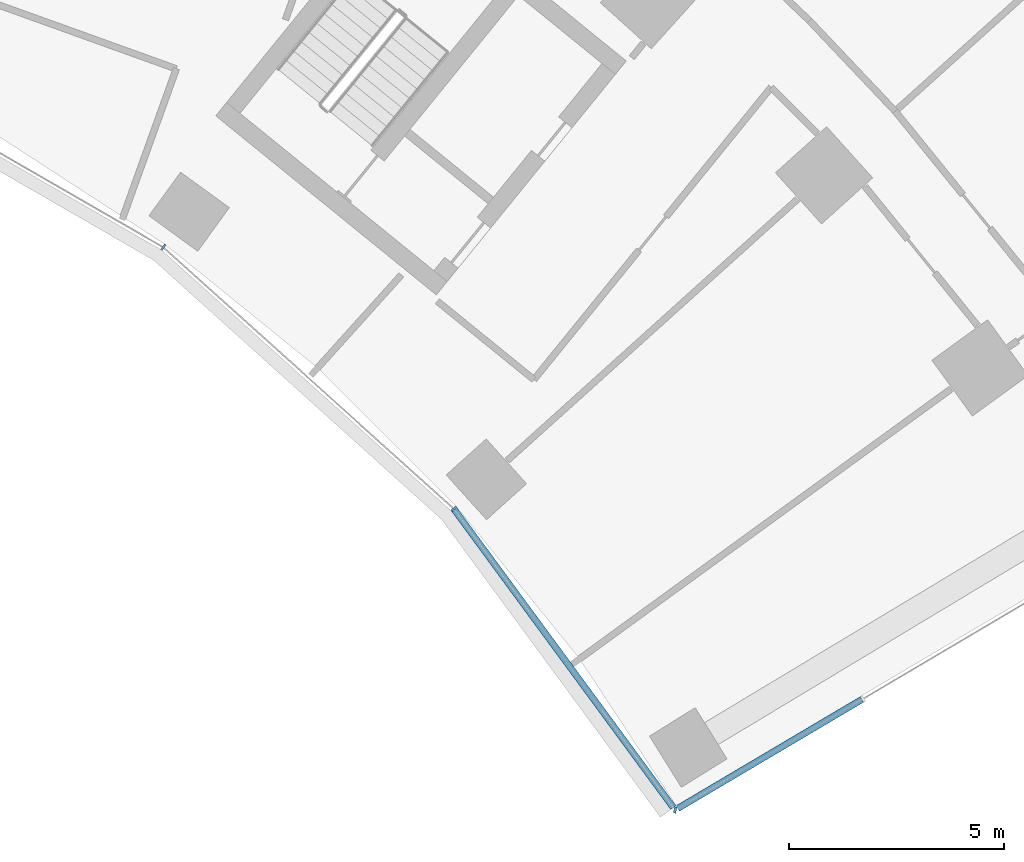
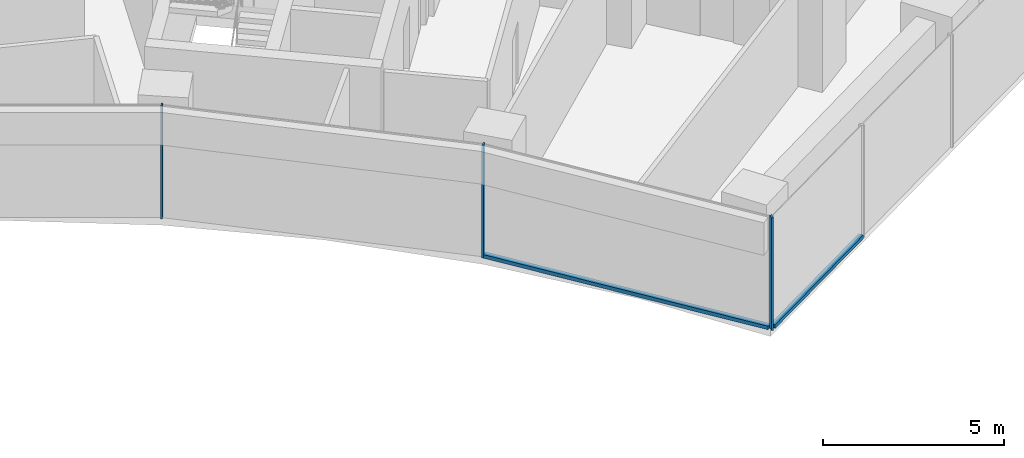
# One storey, part 8 of 21: 5 members, 2 elements without a shape of their own.
"""IFC4 building model written with IfcOpenShell, lengths in metres."""

from ifc_helpers import new_model, si_unit, direction, frame, origin, origin_2d, place, context, subcontext, project, spatial, rectangle, extrude, material, layer, layer_set, material_profile, profile_set, type_object, element, aggregate, save


model = new_model("IFC4")

# Units and contexts
model_context = context("Model", 3, precision=1e-05, world=origin(), true_north=direction((0.0, 1.0)))
body_context = subcontext(model_context, "Body", "Model", "MODEL_VIEW")
ifc_project = project(units=[si_unit("LENGTHUNIT", "METRE"), si_unit("AREAUNIT", "SQUARE_METRE"), si_unit("VOLUMEUNIT", "CUBIC_METRE"), si_unit("PLANEANGLEUNIT", "RADIAN"), si_unit("MASSUNIT", "GRAM", prefix="KILO")], contexts=[model_context])

# Site, building, storey
site_placement = place(None, origin())
site = spatial("IfcSite", under=ifc_project, at=site_placement, CompositionType="ELEMENT")
building_placement = place(site_placement, origin())
building = spatial("IfcBuilding", under=site, at=building_placement, Name="Stone Belt Terrace Tower", CompositionType="ELEMENT")
storey_placement = place(building_placement, frame((0.0, 0.0, 33.800048828125)))
storey = spatial("IfcBuildingStorey", under=building, at=storey_placement, Name="L07", CompositionType="ELEMENT", Elevation=33.800048828125)

# Curtain wall, members
ifc_material = material(Name="Aluminium 6063-T6 anodised frame", Category="aluminium")
ifc_layer_1 = layer(ifc_material, 0.14990234375)
ifc_layer_set_1 = layer_set([ifc_layer_1], Name="CW-B unitised concave-face curtain wall")
curtain_wall_type_1 = type_object("IfcCurtainWallType", Name="CW-B unitised concave-face curtain wall", PredefinedType="NOTDEFINED", material=ifc_layer_set_1)
curtain_wall_1_placement = place(storey_placement, origin())
curtain_wall_1 = element("IfcCurtainWall", 1, at=curtain_wall_1_placement, inside=storey, type_object=curtain_wall_type_1, Name="CW-B concave face L07", PredefinedType="NOTDEFINED")
ifc_material_profile_1 = material_profile(ifc_material, rectangle(XDim=0.14990234375, YDim=0.050048828125, at=origin_2d()), Name="Aluminium 6063-T6 50x150")
ifc_profile_set_1 = profile_set([ifc_material_profile_1], Name="Aluminium 6063-T6 anodised frame")
member_type_1 = type_object("IfcMemberType", Name="CW-B mullion 50 x 150", PredefinedType="MULLION", material=ifc_profile_set_1)
member_1_placement = place(storey_placement, frame((25.5244140625, 35.13134765625, 0.0), z_axis=(0.0, 0.0, 1.0), x_axis=(0.587785252292, 0.809016994375, 0.0)))
member_1 = element("IfcMember", 2, at=member_1_placement, type_object=member_type_1, Name="CW-B mullion 9", PredefinedType="MULLION", context=body_context, shape_type="SweptSolid", body=[
    extrude(rectangle(XDim=0.14990234375, YDim=0.050048828125, at=origin_2d()), origin(), (0.0, 0.0, 1.0), 3.800048828125),
])
member_2_placement = place(storey_placement, frame((32.27099609375, 29.056640625, 0.0), z_axis=(0.0, 0.0, 1.0), x_axis=(0.741329775891, 0.671140941515, 0.0)))
member_2 = element("IfcMember", 3, at=member_2_placement, type_object=member_type_1, Name="CW-B mullion 10", PredefinedType="MULLION", context=body_context, shape_type="SweptSolid", body=[
    extrude(rectangle(XDim=0.14990234375, YDim=0.050048828125, at=origin_2d()), origin(), (0.0, 0.0, 1.0), 3.800048828125),
])
ifc_material_profile_2 = material_profile(ifc_material, rectangle(XDim=0.14990234375, YDim=0.1201171875, at=origin_2d()), Name="Aluminium 6063-T6 150x120")
ifc_profile_set_2 = profile_set([ifc_material_profile_2], Name="Aluminium 6063-T6 anodised frame")
member_type_2 = type_object("IfcMemberType", Name="CW-B transom 120 x 150", PredefinedType="USERDEFINED", material=ifc_profile_set_2)
member_3_placement = place(storey_placement, frame((32.2900390625, 29.0302734375, 0.06005859375), z_axis=(0.592180847905, -0.805805090189, 0.0), x_axis=(0.805805090189, 0.592180847905, 0.0)))
member_3 = element("IfcMember", 4, at=member_3_placement, type_object=member_type_2, Name="CW-B transom 10.1", ObjectType="TRANSOM", PredefinedType="USERDEFINED", context=body_context, shape_type="SweptSolid", body=[
    extrude(rectangle(XDim=0.14990234375, YDim=0.1201171875, at=origin_2d()), origin(), (0.0, 0.0, 1.0), 8.583984375),
])
aggregate(curtain_wall_1, [member_1, member_2, member_3])

ifc_layer_2 = layer(ifc_material, 0.14990234375)
ifc_layer_set_2 = layer_set([ifc_layer_2], Name="CW-C stick curtain wall, horn ends and notches")
curtain_wall_type_2 = type_object("IfcCurtainWallType", Name="CW-C stick curtain wall, horn ends and notches", PredefinedType="NOTDEFINED", material=ifc_layer_set_2)
curtain_wall_2_placement = place(storey_placement, origin())
curtain_wall_2 = element("IfcCurtainWall", 5, at=curtain_wall_2_placement, inside=storey, type_object=curtain_wall_type_2, Name="CW-C end face L07", PredefinedType="NOTDEFINED")
ifc_material_profile_3 = material_profile(ifc_material, rectangle(XDim=0.14990234375, YDim=0.06005859375, at=origin_2d()), Name="Aluminium 6063-T6 60x150")
ifc_profile_set_3 = profile_set([ifc_material_profile_3], Name="Aluminium 6063-T6 anodised frame")
member_type_3 = type_object("IfcMemberType", Name="CW-C mullion 60 x 150", PredefinedType="MULLION", material=ifc_profile_set_3)
member_4_placement = place(storey_placement, frame((37.4140625, 22.0576171875, 0.0), z_axis=(0.0, 0.0, 1.0), x_axis=(0.199957039009, 0.979804665508, 0.0)))
member_4 = element("IfcMember", 6, at=member_4_placement, type_object=member_type_3, Name="CW-C mullion 1", PredefinedType="MULLION", context=body_context, shape_type="SweptSolid", body=[
    extrude(rectangle(XDim=0.14990234375, YDim=0.06005859375, at=origin_2d()), origin(), (0.0, 0.0, 1.0), 3.800048828125),
])
ifc_material_profile_4 = material_profile(ifc_material, rectangle(XDim=0.14990234375, YDim=0.1201171875, at=origin_2d()), Name="Aluminium 6063-T6 150x120")
ifc_profile_set_4 = profile_set([ifc_material_profile_4], Name="Aluminium 6063-T6 anodised frame")
member_type_4 = type_object("IfcMemberType", Name="CW-C transom 120 x 150", PredefinedType="USERDEFINED", material=ifc_profile_set_4)
member_5_placement = place(storey_placement, frame((37.4765625, 22.0947265625, 0.06005859375), z_axis=(0.860562168261, 0.509345417725, 0.0), x_axis=(-0.509345417725, 0.860562168261, 0.0)))
member_5 = element("IfcMember", 7, at=member_5_placement, type_object=member_type_4, Name="CW-C transom 1.1", ObjectType="TRANSOM", PredefinedType="USERDEFINED", context=body_context, shape_type="SweptSolid", body=[
    extrude(rectangle(XDim=0.14990234375, YDim=0.1201171875, at=origin_2d()), origin(), (0.0, 0.0, 1.0), 4.96533203125),
])
aggregate(curtain_wall_2, [member_4, member_5])

save(model, "model.ifc")
